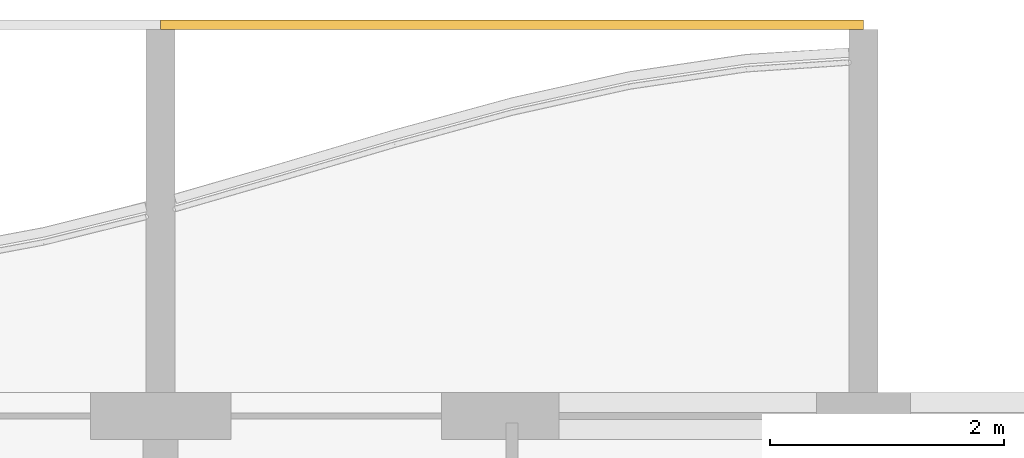
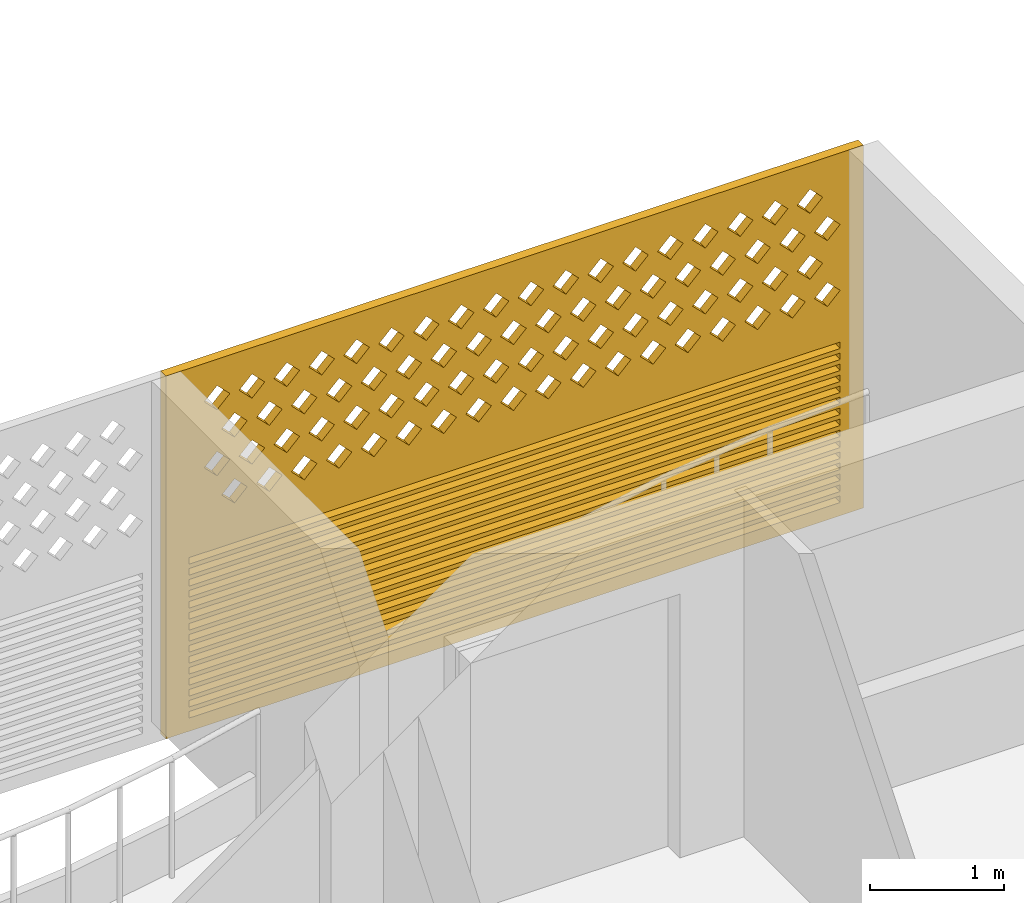
# One storey, part 25 of 31: 1 covering.
"""IFC4 building model written with IfcOpenShell, lengths in metres."""

import ifcopenshell
import ifcopenshell.guid

model = None  # the IFC model being written
_history = None  # IfcOwnerHistory: only IFC2X3 demands one
_inside = {}  # id of a spatial element -> (the spatial element, [elements in it])
_under = {}  # id of a project, library or spatial element -> (it, [spatial elements below it])
_declared = {}  # id of a project -> (the project, [libraries it declares])
_typed = {}  # id of a type object -> (the type object, [elements of that type])
_made_of = {}  # id of a material, layer set ... -> (it, [elements and type objects made of it])


def new_model(schema):
    """Start an empty IFC model of exactly this schema.

    Asked for "IFC4X3", IfcOpenShell would pick the latest addendum, in which some entities
    have other attributes; the version numbers below select the first issue.
    IFC2X3 requires an IfcOwnerHistory on every rooted entity: one is made here for all.
    """
    global model, _history
    if schema == "IFC4X3":
        model = ifcopenshell.file(schema_version=(4, 3, 0, 0))
    else:
        model = ifcopenshell.file(schema=schema)
    _inside.clear()
    _under.clear()
    _declared.clear()
    _typed.clear()
    _made_of.clear()
    _history = None
    if model.schema == "IFC2X3":
        org = make("IfcOrganization", Name="unknown")
        user = make(
            "IfcPersonAndOrganization",
            ThePerson=make("IfcPerson", FamilyName="unknown"),
            TheOrganization=org,
        )
        app = make(
            "IfcApplication",
            ApplicationDeveloper=org,
            Version="unknown",
            ApplicationFullName="unknown",
            ApplicationIdentifier="unknown",
        )
        _history = make(
            "IfcOwnerHistory",
            OwningUser=user,
            OwningApplication=app,
            ChangeAction="ADDED",
            CreationDate=0,
        )
    return model


def make(cls, **values):
    """One entity of the class cls with the attributes given. An attribute that is None is left unset."""
    return model.create_entity(
        cls, **{name: value for name, value in values.items() if value is not None}
    )


def rooted(cls, **values):
    """An entity with a GlobalId (a new one), such as an element, a storey or a relation."""
    return make(cls, GlobalId=ifcopenshell.guid.new(), OwnerHistory=_history, **values)


def si_unit(unit_type, name, prefix=None):
    """IfcSIUnit, for example si_unit("LENGTHUNIT", "METRE", prefix="MILLI")."""
    return make("IfcSIUnit", UnitType=unit_type, Prefix=prefix, Name=name)


def assignment(units):
    """IfcUnitAssignment: the units of a project."""
    return None if units is None else make("IfcUnitAssignment", Units=units)


def point(xyz):
    """IfcCartesianPoint."""
    return None if xyz is None else make("IfcCartesianPoint", Coordinates=xyz)


def direction(xyz):
    """IfcDirection."""
    return None if xyz is None else make("IfcDirection", DirectionRatios=xyz)


def frame(location, z_axis=None, x_axis=None):
    """IfcAxis2Placement3D, a coordinate frame: its origin and axes. An axis left out is left unset."""
    return make(
        "IfcAxis2Placement3D",
        Location=point(location),
        Axis=direction(z_axis),
        RefDirection=direction(x_axis),
    )


def origin():
    """The frame at (0, 0, 0) with its axes left unset."""
    return frame((0.0, 0.0, 0.0))


def place(relative_to, where):
    """IfcLocalPlacement: puts the frame where relative to a parent placement (None: the world)."""
    return make(
        "IfcLocalPlacement", PlacementRelTo=relative_to, RelativePlacement=where
    )


def context(
    kind, dimensions, precision=None, world=None, true_north=None, identifier=None
):
    """IfcGeometricRepresentationContext, for example the 3D "Model" context."""
    return make(
        "IfcGeometricRepresentationContext",
        ContextIdentifier=identifier,
        ContextType=kind,
        CoordinateSpaceDimension=dimensions,
        Precision=precision,
        WorldCoordinateSystem=world,
        TrueNorth=true_north,
    )


def subcontext(parent, identifier, kind, view, scale=None):
    """IfcGeometricRepresentationSubContext, for example "Body" below "Model"."""
    return make(
        "IfcGeometricRepresentationSubContext",
        ContextIdentifier=identifier,
        ContextType=kind,
        ParentContext=parent,
        TargetScale=scale,
        TargetView=view,
    )


def project(units=None, contexts=None):
    """IfcProject with its units and contexts."""
    return rooted(
        "IfcProject",
        Name="project",
        RepresentationContexts=contexts,
        UnitsInContext=assignment(units),
    )


def spatial(cls, under=None, at=None, **own):
    """A site, building, storey or space (cls), placed at a placement, below another one or the project."""
    s = rooted(cls, ObjectPlacement=at, **own)
    if under is not None:
        _under.setdefault(under.id(), (under, []))[1].append(s)
    return s


def polyline(points):
    """IfcPolyline through the points."""
    return make("IfcPolyline", Points=[point(p) for p in points])


def outline(outer, holes=None, kind="AREA"):
    """IfcArbitraryClosedProfileDef: a profile drawn as a closed curve; with holes, ...WithVoids."""
    if holes is None:
        return make("IfcArbitraryClosedProfileDef", ProfileType=kind, OuterCurve=outer)
    return make(
        "IfcArbitraryProfileDefWithVoids",
        ProfileType=kind,
        OuterCurve=outer,
        InnerCurves=holes,
    )


def extrude(swept, where, along, depth):
    """IfcExtrudedAreaSolid: the profile swept, set in the frame where, extruded along a direction by depth."""
    return make(
        "IfcExtrudedAreaSolid",
        SweptArea=swept,
        Position=where,
        ExtrudedDirection=direction(along),
        Depth=depth,
    )


def shape(context_of_items, identifier, shape_type, items):
    """IfcShapeRepresentation: the items that make up one representation, for example the "Body"."""
    return make(
        "IfcShapeRepresentation",
        ContextOfItems=context_of_items,
        RepresentationIdentifier=identifier,
        RepresentationType=shape_type,
        Items=items,
    )


def source(mapping_origin, context_of_items, identifier, shape_type, items):
    """IfcRepresentationMap: a shape defined once, which mapped items show again and again."""
    return make(
        "IfcRepresentationMap",
        MappingOrigin=mapping_origin,
        MappedRepresentation=shape(context_of_items, identifier, shape_type, items),
    )


def transform(
    local_origin,
    x_axis=None,
    y_axis=None,
    z_axis=None,
    scale=None,
    scale2=None,
    scale3=None,
    uniform=True,
):
    """IfcCartesianTransformationOperator3D, or its non-uniform kind. x_axis, y_axis, z_axis: its Axis1, 2, 3."""
    if uniform:
        return make(
            "IfcCartesianTransformationOperator3D",
            Axis1=direction(x_axis),
            Axis2=direction(y_axis),
            LocalOrigin=point(local_origin),
            Scale=scale,
            Axis3=direction(z_axis),
        )
    return make(
        "IfcCartesianTransformationOperator3DnonUniform",
        Axis1=direction(x_axis),
        Axis2=direction(y_axis),
        LocalOrigin=point(local_origin),
        Scale=scale,
        Axis3=direction(z_axis),
        Scale2=scale2,
        Scale3=scale3,
    )


def mapped(mapping_source, mapping_target):
    """IfcMappedItem: shows the shape of a source again, moved by a transform."""
    return make(
        "IfcMappedItem", MappingSource=mapping_source, MappingTarget=mapping_target
    )


def material(Name=None, Category=None):
    """IfcMaterial."""
    return make("IfcMaterial", Name=Name, Category=Category)


def material_profile(
    of_material, cross_section, Name=None, Category=None, Priority=None
):
    """IfcMaterialProfile: a cross section and its material."""
    return make(
        "IfcMaterialProfile",
        Name=Name,
        Material=of_material,
        Profile=cross_section,
        Priority=Priority,
        Category=Category,
    )


def profile_set(profiles, Name=None, composite=None):
    """IfcMaterialProfileSet."""
    return make(
        "IfcMaterialProfileSet",
        Name=Name,
        MaterialProfiles=profiles,
        CompositeProfile=composite,
    )


def made_of(thing, what):
    """Note that an element or type object is made of a material, layer set ...; save() writes the relation."""
    if what is not None:
        _made_of.setdefault(what.id(), (what, []))[1].append(thing)
    return thing


def type_object(cls, material=None, **own):
    """A type object (cls), such as IfcWallType, which elements share."""
    return made_of(rooted(cls, **own), material)


def element(
    cls,
    number,
    at=None,
    inside=None,
    cuts=None,
    type_object=None,
    material=None,
    context=None,
    identifier="Body",
    shape_type=None,
    held_by="IfcProductDefinitionShape",
    body=None,
    shapes=None,
    **own,
):
    """One element of the class cls, such as IfcWall. Its Tag is "e" and its number.

    at: its placement. inside: the storey or other place that contains it. cuts: it is an
    opening in that element (IfcRelVoidsElement). A single representation is given by context,
    identifier, shape_type and body (its items); several are given by shapes. held_by: the class
    of the entity that holds the representations. save() writes the other relations.
    """
    e = rooted(cls, Tag="e%d" % number, ObjectPlacement=at, **own)
    if body is not None:
        shapes = [shape(context, identifier, shape_type, body)]
    if shapes is not None:
        e.Representation = make(held_by, Representations=shapes)
    if inside is not None:
        _inside.setdefault(inside.id(), (inside, []))[1].append(e)
    if cuts is not None:
        rooted(
            "IfcRelVoidsElement", RelatingBuildingElement=cuts, RelatedOpeningElement=e
        )
    if type_object is not None:
        _typed.setdefault(type_object.id(), (type_object, []))[1].append(e)
    return made_of(e, material)


def aggregate(whole, parts):
    """IfcRelAggregates: a whole, such as a stair, and the parts it consists of."""
    return rooted("IfcRelAggregates", RelatingObject=whole, RelatedObjects=parts)


def save(model, path):
    """Write the relations noted so far, then the file.

    IfcRelAggregates (storeys below a building ...), IfcRelContainedInSpatialStructure (elements
    in a storey), IfcRelDefinesByType, IfcRelAssociatesMaterial and IfcRelDeclares: one each for
    every whole, place, type object, material and project.
    """
    for whole, parts in _under.values():
        aggregate(whole, parts)
    for where, things in _inside.values():
        rooted(
            "IfcRelContainedInSpatialStructure",
            RelatedElements=things,
            RelatingStructure=where,
        )
    for kind, things in _typed.values():
        rooted("IfcRelDefinesByType", RelatedObjects=things, RelatingType=kind)
    for what, things in _made_of.values():
        rooted("IfcRelAssociatesMaterial", RelatedObjects=things, RelatingMaterial=what)
    for by, libraries in _declared.values():
        rooted("IfcRelDeclares", RelatingContext=by, RelatedDefinitions=libraries)
    model.write(path)


model = new_model("IFC4")

# Units and contexts
model_context = context("Model", 3, precision=1e-05, world=origin(), true_north=direction((0.0, 1.0)))
body_context = subcontext(model_context, "Body", "Model", "MODEL_VIEW")
ifc_project = project(units=[si_unit("LENGTHUNIT", "METRE"), si_unit("AREAUNIT", "SQUARE_METRE"), si_unit("VOLUMEUNIT", "CUBIC_METRE"), si_unit("PLANEANGLEUNIT", "RADIAN"), si_unit("MASSUNIT", "GRAM", prefix="KILO")], contexts=[model_context])

# Site, building, storey
site_placement = place(None, origin())
site = spatial("IfcSite", under=ifc_project, at=site_placement, CompositionType="ELEMENT")
building_placement = place(site_placement, origin())
building = spatial("IfcBuilding", under=site, at=building_placement, Name="Poui Terraces", CompositionType="ELEMENT")
storey_placement = place(building_placement, frame((0.0, 0.0, 142.199951171875)))
storey = spatial("IfcBuildingStorey", under=building, at=storey_placement, Name="L39", CompositionType="ELEMENT", Elevation=142.199951171875)

# Covering
ifc_material = material(Name="Terracotta screen", Category="masonry")
ifc_material_profile = material_profile(ifc_material, outline(polyline([(-3.0, -1.64990234375), (3.0, -1.64990234375), (3.0, 1.64990234375), (-3.0, 1.64990234375), (-3.0, -1.64990234375)]), holes=[polyline([(-2.800048828125, 0.39990234375), (-2.68994140625, 0.2900390625), (-2.580078125, 0.39990234375), (-2.68994140625, 0.510009765625), (-2.800048828125, 0.39990234375)]), polyline([(-2.5, 0.39990234375), (-2.389892578125, 0.2900390625), (-2.280029296875, 0.39990234375), (-2.389892578125, 0.510009765625), (-2.5, 0.39990234375)]), polyline([(-2.199951171875, 0.39990234375), (-2.090087890625, 0.2900390625), (-1.97998046875, 0.39990234375), (-2.090087890625, 0.510009765625), (-2.199951171875, 0.39990234375)]), polyline([(-1.89990234375, 0.39990234375), (-1.7900390625, 0.2900390625), (-1.679931640625, 0.39990234375), (-1.7900390625, 0.510009765625), (-1.89990234375, 0.39990234375)]), polyline([(-1.60009765625, 0.39990234375), (-1.489990234375, 0.2900390625), (-1.3798828125, 0.39990234375), (-1.489990234375, 0.510009765625), (-1.60009765625, 0.39990234375)]), polyline([(-1.300048828125, 0.39990234375), (-1.18994140625, 0.2900390625), (-1.080078125, 0.39990234375), (-1.18994140625, 0.510009765625), (-1.300048828125, 0.39990234375)]), polyline([(-1.0, 0.39990234375), (-0.889892578125, 0.2900390625), (-0.780029296875, 0.39990234375), (-0.889892578125, 0.510009765625), (-1.0, 0.39990234375)]), polyline([(-0.699951171875, 0.39990234375), (-0.590087890625, 0.2900390625), (-0.47998046875, 0.39990234375), (-0.590087890625, 0.510009765625), (-0.699951171875, 0.39990234375)]), polyline([(-0.39990234375, 0.39990234375), (-0.2900390625, 0.2900390625), (-0.179931640625, 0.39990234375), (-0.2900390625, 0.510009765625), (-0.39990234375, 0.39990234375)]), polyline([(-0.10009765625, 0.39990234375), (0.010009765625, 0.2900390625), (0.1201171875, 0.39990234375), (0.010009765625, 0.510009765625), (-0.10009765625, 0.39990234375)]), polyline([(0.199951171875, 0.39990234375), (0.31005859375, 0.2900390625), (0.419921875, 0.39990234375), (0.31005859375, 0.510009765625), (0.199951171875, 0.39990234375)]), polyline([(0.5, 0.39990234375), (0.610107421875, 0.2900390625), (0.719970703125, 0.39990234375), (0.610107421875, 0.510009765625), (0.5, 0.39990234375)]), polyline([(0.800048828125, 0.39990234375), (0.909912109375, 0.2900390625), (1.02001953125, 0.39990234375), (0.909912109375, 0.510009765625), (0.800048828125, 0.39990234375)]), polyline([(1.10009765625, 0.39990234375), (1.2099609375, 0.2900390625), (1.320068359375, 0.39990234375), (1.2099609375, 0.510009765625), (1.10009765625, 0.39990234375)]), polyline([(1.39990234375, 0.39990234375), (1.510009765625, 0.2900390625), (1.6201171875, 0.39990234375), (1.510009765625, 0.510009765625), (1.39990234375, 0.39990234375)]), polyline([(1.699951171875, 0.39990234375), (1.81005859375, 0.2900390625), (1.919921875, 0.39990234375), (1.81005859375, 0.510009765625), (1.699951171875, 0.39990234375)]), polyline([(2.0, 0.39990234375), (2.110107421875, 0.2900390625), (2.219970703125, 0.39990234375), (2.110107421875, 0.510009765625), (2.0, 0.39990234375)]), polyline([(2.300048828125, 0.39990234375), (2.409912109375, 0.2900390625), (2.52001953125, 0.39990234375), (2.409912109375, 0.510009765625), (2.300048828125, 0.39990234375)]), polyline([(-2.64990234375, 0.699951171875), (-2.5400390625, 0.590087890625), (-2.429931640625, 0.699951171875), (-2.5400390625, 0.81005859375), (-2.64990234375, 0.699951171875)]), polyline([(-2.35009765625, 0.699951171875), (-2.239990234375, 0.590087890625), (-2.1298828125, 0.699951171875), (-2.239990234375, 0.81005859375), (-2.35009765625, 0.699951171875)]), polyline([(-2.050048828125, 0.699951171875), (-1.93994140625, 0.590087890625), (-1.830078125, 0.699951171875), (-1.93994140625, 0.81005859375), (-2.050048828125, 0.699951171875)]), polyline([(-1.75, 0.699951171875), (-1.639892578125, 0.590087890625), (-1.530029296875, 0.699951171875), (-1.639892578125, 0.81005859375), (-1.75, 0.699951171875)]), polyline([(-1.449951171875, 0.699951171875), (-1.340087890625, 0.590087890625), (-1.22998046875, 0.699951171875), (-1.340087890625, 0.81005859375), (-1.449951171875, 0.699951171875)]), polyline([(-1.14990234375, 0.699951171875), (-1.0400390625, 0.590087890625), (-0.929931640625, 0.699951171875), (-1.0400390625, 0.81005859375), (-1.14990234375, 0.699951171875)]), polyline([(-0.85009765625, 0.699951171875), (-0.739990234375, 0.590087890625), (-0.6298828125, 0.699951171875), (-0.739990234375, 0.81005859375), (-0.85009765625, 0.699951171875)]), polyline([(-0.550048828125, 0.699951171875), (-0.43994140625, 0.590087890625), (-0.330078125, 0.699951171875), (-0.43994140625, 0.81005859375), (-0.550048828125, 0.699951171875)]), polyline([(-0.25, 0.699951171875), (-0.139892578125, 0.590087890625), (-0.030029296875, 0.699951171875), (-0.139892578125, 0.81005859375), (-0.25, 0.699951171875)]), polyline([(0.050048828125, 0.699951171875), (0.159912109375, 0.590087890625), (0.27001953125, 0.699951171875), (0.159912109375, 0.81005859375), (0.050048828125, 0.699951171875)]), polyline([(0.35009765625, 0.699951171875), (0.4599609375, 0.590087890625), (0.570068359375, 0.699951171875), (0.4599609375, 0.81005859375), (0.35009765625, 0.699951171875)]), polyline([(0.64990234375, 0.699951171875), (0.760009765625, 0.590087890625), (0.8701171875, 0.699951171875), (0.760009765625, 0.81005859375), (0.64990234375, 0.699951171875)]), polyline([(0.949951171875, 0.699951171875), (1.06005859375, 0.590087890625), (1.169921875, 0.699951171875), (1.06005859375, 0.81005859375), (0.949951171875, 0.699951171875)]), polyline([(1.25, 0.699951171875), (1.360107421875, 0.590087890625), (1.469970703125, 0.699951171875), (1.360107421875, 0.81005859375), (1.25, 0.699951171875)]), polyline([(1.550048828125, 0.699951171875), (1.659912109375, 0.590087890625), (1.77001953125, 0.699951171875), (1.659912109375, 0.81005859375), (1.550048828125, 0.699951171875)]), polyline([(1.85009765625, 0.699951171875), (1.9599609375, 0.590087890625), (2.070068359375, 0.699951171875), (1.9599609375, 0.81005859375), (1.85009765625, 0.699951171875)]), polyline([(2.14990234375, 0.699951171875), (2.260009765625, 0.590087890625), (2.3701171875, 0.699951171875), (2.260009765625, 0.81005859375), (2.14990234375, 0.699951171875)]), polyline([(2.449951171875, 0.699951171875), (2.56005859375, 0.590087890625), (2.669921875, 0.699951171875), (2.56005859375, 0.81005859375), (2.449951171875, 0.699951171875)]), polyline([(-2.800048828125, 1.0), (-2.68994140625, 0.889892578125), (-2.580078125, 1.0), (-2.68994140625, 1.110107421875), (-2.800048828125, 1.0)]), polyline([(-2.5, 1.0), (-2.389892578125, 0.889892578125), (-2.280029296875, 1.0), (-2.389892578125, 1.110107421875), (-2.5, 1.0)]), polyline([(-2.199951171875, 1.0), (-2.090087890625, 0.889892578125), (-1.97998046875, 1.0), (-2.090087890625, 1.110107421875), (-2.199951171875, 1.0)]), polyline([(-1.89990234375, 1.0), (-1.7900390625, 0.889892578125), (-1.679931640625, 1.0), (-1.7900390625, 1.110107421875), (-1.89990234375, 1.0)]), polyline([(-1.60009765625, 1.0), (-1.489990234375, 0.889892578125), (-1.3798828125, 1.0), (-1.489990234375, 1.110107421875), (-1.60009765625, 1.0)]), polyline([(-1.300048828125, 1.0), (-1.18994140625, 0.889892578125), (-1.080078125, 1.0), (-1.18994140625, 1.110107421875), (-1.300048828125, 1.0)]), polyline([(-1.0, 1.0), (-0.889892578125, 0.889892578125), (-0.780029296875, 1.0), (-0.889892578125, 1.110107421875), (-1.0, 1.0)]), polyline([(-0.699951171875, 1.0), (-0.590087890625, 0.889892578125), (-0.47998046875, 1.0), (-0.590087890625, 1.110107421875), (-0.699951171875, 1.0)]), polyline([(-0.39990234375, 1.0), (-0.2900390625, 0.889892578125), (-0.179931640625, 1.0), (-0.2900390625, 1.110107421875), (-0.39990234375, 1.0)]), polyline([(-0.10009765625, 1.0), (0.010009765625, 0.889892578125), (0.1201171875, 1.0), (0.010009765625, 1.110107421875), (-0.10009765625, 1.0)]), polyline([(0.199951171875, 1.0), (0.31005859375, 0.889892578125), (0.419921875, 1.0), (0.31005859375, 1.110107421875), (0.199951171875, 1.0)]), polyline([(0.5, 1.0), (0.610107421875, 0.889892578125), (0.719970703125, 1.0), (0.610107421875, 1.110107421875), (0.5, 1.0)]), polyline([(0.800048828125, 1.0), (0.909912109375, 0.889892578125), (1.02001953125, 1.0), (0.909912109375, 1.110107421875), (0.800048828125, 1.0)]), polyline([(1.10009765625, 1.0), (1.2099609375, 0.889892578125), (1.320068359375, 1.0), (1.2099609375, 1.110107421875), (1.10009765625, 1.0)]), polyline([(1.39990234375, 1.0), (1.510009765625, 0.889892578125), (1.6201171875, 1.0), (1.510009765625, 1.110107421875), (1.39990234375, 1.0)]), polyline([(1.699951171875, 1.0), (1.81005859375, 0.889892578125), (1.919921875, 1.0), (1.81005859375, 1.110107421875), (1.699951171875, 1.0)]), polyline([(2.0, 1.0), (2.110107421875, 0.889892578125), (2.219970703125, 1.0), (2.110107421875, 1.110107421875), (2.0, 1.0)]), polyline([(2.300048828125, 1.0), (2.409912109375, 0.889892578125), (2.52001953125, 1.0), (2.409912109375, 1.110107421875), (2.300048828125, 1.0)]), polyline([(-2.64990234375, 1.300048828125), (-2.5400390625, 1.18994140625), (-2.429931640625, 1.300048828125), (-2.5400390625, 1.409912109375), (-2.64990234375, 1.300048828125)]), polyline([(-2.35009765625, 1.300048828125), (-2.239990234375, 1.18994140625), (-2.1298828125, 1.300048828125), (-2.239990234375, 1.409912109375), (-2.35009765625, 1.300048828125)]), polyline([(-2.050048828125, 1.300048828125), (-1.93994140625, 1.18994140625), (-1.830078125, 1.300048828125), (-1.93994140625, 1.409912109375), (-2.050048828125, 1.300048828125)]), polyline([(-1.75, 1.300048828125), (-1.639892578125, 1.18994140625), (-1.530029296875, 1.300048828125), (-1.639892578125, 1.409912109375), (-1.75, 1.300048828125)]), polyline([(-1.449951171875, 1.300048828125), (-1.340087890625, 1.18994140625), (-1.22998046875, 1.300048828125), (-1.340087890625, 1.409912109375), (-1.449951171875, 1.300048828125)]), polyline([(-1.14990234375, 1.300048828125), (-1.0400390625, 1.18994140625), (-0.929931640625, 1.300048828125), (-1.0400390625, 1.409912109375), (-1.14990234375, 1.300048828125)]), polyline([(-0.85009765625, 1.300048828125), (-0.739990234375, 1.18994140625), (-0.6298828125, 1.300048828125), (-0.739990234375, 1.409912109375), (-0.85009765625, 1.300048828125)]), polyline([(-0.550048828125, 1.300048828125), (-0.43994140625, 1.18994140625), (-0.330078125, 1.300048828125), (-0.43994140625, 1.409912109375), (-0.550048828125, 1.300048828125)]), polyline([(-0.25, 1.300048828125), (-0.139892578125, 1.18994140625), (-0.030029296875, 1.300048828125), (-0.139892578125, 1.409912109375), (-0.25, 1.300048828125)]), polyline([(0.050048828125, 1.300048828125), (0.159912109375, 1.18994140625), (0.27001953125, 1.300048828125), (0.159912109375, 1.409912109375), (0.050048828125, 1.300048828125)]), polyline([(0.35009765625, 1.300048828125), (0.4599609375, 1.18994140625), (0.570068359375, 1.300048828125), (0.4599609375, 1.409912109375), (0.35009765625, 1.300048828125)]), polyline([(0.64990234375, 1.300048828125), (0.760009765625, 1.18994140625), (0.8701171875, 1.300048828125), (0.760009765625, 1.409912109375), (0.64990234375, 1.300048828125)]), polyline([(0.949951171875, 1.300048828125), (1.06005859375, 1.18994140625), (1.169921875, 1.300048828125), (1.06005859375, 1.409912109375), (0.949951171875, 1.300048828125)]), polyline([(1.25, 1.300048828125), (1.360107421875, 1.18994140625), (1.469970703125, 1.300048828125), (1.360107421875, 1.409912109375), (1.25, 1.300048828125)]), polyline([(1.550048828125, 1.300048828125), (1.659912109375, 1.18994140625), (1.77001953125, 1.300048828125), (1.659912109375, 1.409912109375), (1.550048828125, 1.300048828125)]), polyline([(1.85009765625, 1.300048828125), (1.9599609375, 1.18994140625), (2.070068359375, 1.300048828125), (1.9599609375, 1.409912109375), (1.85009765625, 1.300048828125)]), polyline([(2.14990234375, 1.300048828125), (2.260009765625, 1.18994140625), (2.3701171875, 1.300048828125), (2.260009765625, 1.409912109375), (2.14990234375, 1.300048828125)]), polyline([(2.449951171875, 1.300048828125), (2.56005859375, 1.18994140625), (2.669921875, 1.300048828125), (2.56005859375, 1.409912109375), (2.449951171875, 1.300048828125)]), polyline([(-2.800048828125, -1.530029296875), (2.800048828125, -1.530029296875), (2.800048828125, -1.469970703125), (-2.800048828125, -1.469970703125), (-2.800048828125, -1.530029296875)]), polyline([(-2.800048828125, -1.429931640625), (2.800048828125, -1.429931640625), (2.800048828125, -1.3701171875), (-2.800048828125, -1.3701171875), (-2.800048828125, -1.429931640625)]), polyline([(-2.800048828125, -1.330078125), (2.800048828125, -1.330078125), (2.800048828125, -1.27001953125), (-2.800048828125, -1.27001953125), (-2.800048828125, -1.330078125)]), polyline([(-2.800048828125, -1.22998046875), (2.800048828125, -1.22998046875), (2.800048828125, -1.169921875), (-2.800048828125, -1.169921875), (-2.800048828125, -1.22998046875)]), polyline([(-2.800048828125, -1.1298828125), (2.800048828125, -1.1298828125), (2.800048828125, -1.070068359375), (-2.800048828125, -1.070068359375), (-2.800048828125, -1.1298828125)]), polyline([(-2.800048828125, -1.030029296875), (2.800048828125, -1.030029296875), (2.800048828125, -0.969970703125), (-2.800048828125, -0.969970703125), (-2.800048828125, -1.030029296875)]), polyline([(-2.800048828125, -0.929931640625), (2.800048828125, -0.929931640625), (2.800048828125, -0.8701171875), (-2.800048828125, -0.8701171875), (-2.800048828125, -0.929931640625)]), polyline([(-2.800048828125, -0.830078125), (2.800048828125, -0.830078125), (2.800048828125, -0.77001953125), (-2.800048828125, -0.77001953125), (-2.800048828125, -0.830078125)]), polyline([(-2.800048828125, -0.72998046875), (2.800048828125, -0.72998046875), (2.800048828125, -0.669921875), (-2.800048828125, -0.669921875), (-2.800048828125, -0.72998046875)]), polyline([(-2.800048828125, -0.6298828125), (2.800048828125, -0.6298828125), (2.800048828125, -0.570068359375), (-2.800048828125, -0.570068359375), (-2.800048828125, -0.6298828125)]), polyline([(-2.800048828125, -0.530029296875), (2.800048828125, -0.530029296875), (2.800048828125, -0.469970703125), (-2.800048828125, -0.469970703125), (-2.800048828125, -0.530029296875)]), polyline([(-2.800048828125, -0.429931640625), (2.800048828125, -0.429931640625), (2.800048828125, -0.3701171875), (-2.800048828125, -0.3701171875), (-2.800048828125, -0.429931640625)]), polyline([(-2.800048828125, -0.330078125), (2.800048828125, -0.330078125), (2.800048828125, -0.27001953125), (-2.800048828125, -0.27001953125), (-2.800048828125, -0.330078125)]), polyline([(-2.800048828125, -0.22998046875), (2.800048828125, -0.22998046875), (2.800048828125, -0.169921875), (-2.800048828125, -0.169921875), (-2.800048828125, -0.22998046875)]), polyline([(-2.800048828125, -0.1298828125), (2.800048828125, -0.1298828125), (2.800048828125, -0.070068359375), (-2.800048828125, -0.070068359375), (-2.800048828125, -0.1298828125)])]), Name="TERRACOTTA SCREEN AND JALOUSIE LOUVRE 6000X3300")
ifc_profile_set = profile_set([ifc_material_profile], Name="Terracotta screen")
covering_type = type_object("IfcCoveringType", Name="TERRACOTTA SCREEN AND JALOUSIE LOUVRE 6000X3300", PredefinedType="CLADDING", material=ifc_profile_set)
shared_shape = source(origin(), body_context, "Body", "SweptSolid", [
    extrude(outline(polyline([(-3.0, -1.64990234375), (3.0, -1.64990234375), (3.0, 1.64990234375), (-3.0, 1.64990234375), (-3.0, -1.64990234375)]), holes=[polyline([(-2.800048828125, 0.39990234375), (-2.68994140625, 0.2900390625), (-2.580078125, 0.39990234375), (-2.68994140625, 0.510009765625), (-2.800048828125, 0.39990234375)]), polyline([(-2.5, 0.39990234375), (-2.389892578125, 0.2900390625), (-2.280029296875, 0.39990234375), (-2.389892578125, 0.510009765625), (-2.5, 0.39990234375)]), polyline([(-2.199951171875, 0.39990234375), (-2.090087890625, 0.2900390625), (-1.97998046875, 0.39990234375), (-2.090087890625, 0.510009765625), (-2.199951171875, 0.39990234375)]), polyline([(-1.89990234375, 0.39990234375), (-1.7900390625, 0.2900390625), (-1.679931640625, 0.39990234375), (-1.7900390625, 0.510009765625), (-1.89990234375, 0.39990234375)]), polyline([(-1.60009765625, 0.39990234375), (-1.489990234375, 0.2900390625), (-1.3798828125, 0.39990234375), (-1.489990234375, 0.510009765625), (-1.60009765625, 0.39990234375)]), polyline([(-1.300048828125, 0.39990234375), (-1.18994140625, 0.2900390625), (-1.080078125, 0.39990234375), (-1.18994140625, 0.510009765625), (-1.300048828125, 0.39990234375)]), polyline([(-1.0, 0.39990234375), (-0.889892578125, 0.2900390625), (-0.780029296875, 0.39990234375), (-0.889892578125, 0.510009765625), (-1.0, 0.39990234375)]), polyline([(-0.699951171875, 0.39990234375), (-0.590087890625, 0.2900390625), (-0.47998046875, 0.39990234375), (-0.590087890625, 0.510009765625), (-0.699951171875, 0.39990234375)]), polyline([(-0.39990234375, 0.39990234375), (-0.2900390625, 0.2900390625), (-0.179931640625, 0.39990234375), (-0.2900390625, 0.510009765625), (-0.39990234375, 0.39990234375)]), polyline([(-0.10009765625, 0.39990234375), (0.010009765625, 0.2900390625), (0.1201171875, 0.39990234375), (0.010009765625, 0.510009765625), (-0.10009765625, 0.39990234375)]), polyline([(0.199951171875, 0.39990234375), (0.31005859375, 0.2900390625), (0.419921875, 0.39990234375), (0.31005859375, 0.510009765625), (0.199951171875, 0.39990234375)]), polyline([(0.5, 0.39990234375), (0.610107421875, 0.2900390625), (0.719970703125, 0.39990234375), (0.610107421875, 0.510009765625), (0.5, 0.39990234375)]), polyline([(0.800048828125, 0.39990234375), (0.909912109375, 0.2900390625), (1.02001953125, 0.39990234375), (0.909912109375, 0.510009765625), (0.800048828125, 0.39990234375)]), polyline([(1.10009765625, 0.39990234375), (1.2099609375, 0.2900390625), (1.320068359375, 0.39990234375), (1.2099609375, 0.510009765625), (1.10009765625, 0.39990234375)]), polyline([(1.39990234375, 0.39990234375), (1.510009765625, 0.2900390625), (1.6201171875, 0.39990234375), (1.510009765625, 0.510009765625), (1.39990234375, 0.39990234375)]), polyline([(1.699951171875, 0.39990234375), (1.81005859375, 0.2900390625), (1.919921875, 0.39990234375), (1.81005859375, 0.510009765625), (1.699951171875, 0.39990234375)]), polyline([(2.0, 0.39990234375), (2.110107421875, 0.2900390625), (2.219970703125, 0.39990234375), (2.110107421875, 0.510009765625), (2.0, 0.39990234375)]), polyline([(2.300048828125, 0.39990234375), (2.409912109375, 0.2900390625), (2.52001953125, 0.39990234375), (2.409912109375, 0.510009765625), (2.300048828125, 0.39990234375)]), polyline([(-2.64990234375, 0.699951171875), (-2.5400390625, 0.590087890625), (-2.429931640625, 0.699951171875), (-2.5400390625, 0.81005859375), (-2.64990234375, 0.699951171875)]), polyline([(-2.35009765625, 0.699951171875), (-2.239990234375, 0.590087890625), (-2.1298828125, 0.699951171875), (-2.239990234375, 0.81005859375), (-2.35009765625, 0.699951171875)]), polyline([(-2.050048828125, 0.699951171875), (-1.93994140625, 0.590087890625), (-1.830078125, 0.699951171875), (-1.93994140625, 0.81005859375), (-2.050048828125, 0.699951171875)]), polyline([(-1.75, 0.699951171875), (-1.639892578125, 0.590087890625), (-1.530029296875, 0.699951171875), (-1.639892578125, 0.81005859375), (-1.75, 0.699951171875)]), polyline([(-1.449951171875, 0.699951171875), (-1.340087890625, 0.590087890625), (-1.22998046875, 0.699951171875), (-1.340087890625, 0.81005859375), (-1.449951171875, 0.699951171875)]), polyline([(-1.14990234375, 0.699951171875), (-1.0400390625, 0.590087890625), (-0.929931640625, 0.699951171875), (-1.0400390625, 0.81005859375), (-1.14990234375, 0.699951171875)]), polyline([(-0.85009765625, 0.699951171875), (-0.739990234375, 0.590087890625), (-0.6298828125, 0.699951171875), (-0.739990234375, 0.81005859375), (-0.85009765625, 0.699951171875)]), polyline([(-0.550048828125, 0.699951171875), (-0.43994140625, 0.590087890625), (-0.330078125, 0.699951171875), (-0.43994140625, 0.81005859375), (-0.550048828125, 0.699951171875)]), polyline([(-0.25, 0.699951171875), (-0.139892578125, 0.590087890625), (-0.030029296875, 0.699951171875), (-0.139892578125, 0.81005859375), (-0.25, 0.699951171875)]), polyline([(0.050048828125, 0.699951171875), (0.159912109375, 0.590087890625), (0.27001953125, 0.699951171875), (0.159912109375, 0.81005859375), (0.050048828125, 0.699951171875)]), polyline([(0.35009765625, 0.699951171875), (0.4599609375, 0.590087890625), (0.570068359375, 0.699951171875), (0.4599609375, 0.81005859375), (0.35009765625, 0.699951171875)]), polyline([(0.64990234375, 0.699951171875), (0.760009765625, 0.590087890625), (0.8701171875, 0.699951171875), (0.760009765625, 0.81005859375), (0.64990234375, 0.699951171875)]), polyline([(0.949951171875, 0.699951171875), (1.06005859375, 0.590087890625), (1.169921875, 0.699951171875), (1.06005859375, 0.81005859375), (0.949951171875, 0.699951171875)]), polyline([(1.25, 0.699951171875), (1.360107421875, 0.590087890625), (1.469970703125, 0.699951171875), (1.360107421875, 0.81005859375), (1.25, 0.699951171875)]), polyline([(1.550048828125, 0.699951171875), (1.659912109375, 0.590087890625), (1.77001953125, 0.699951171875), (1.659912109375, 0.81005859375), (1.550048828125, 0.699951171875)]), polyline([(1.85009765625, 0.699951171875), (1.9599609375, 0.590087890625), (2.070068359375, 0.699951171875), (1.9599609375, 0.81005859375), (1.85009765625, 0.699951171875)]), polyline([(2.14990234375, 0.699951171875), (2.260009765625, 0.590087890625), (2.3701171875, 0.699951171875), (2.260009765625, 0.81005859375), (2.14990234375, 0.699951171875)]), polyline([(2.449951171875, 0.699951171875), (2.56005859375, 0.590087890625), (2.669921875, 0.699951171875), (2.56005859375, 0.81005859375), (2.449951171875, 0.699951171875)]), polyline([(-2.800048828125, 1.0), (-2.68994140625, 0.889892578125), (-2.580078125, 1.0), (-2.68994140625, 1.110107421875), (-2.800048828125, 1.0)]), polyline([(-2.5, 1.0), (-2.389892578125, 0.889892578125), (-2.280029296875, 1.0), (-2.389892578125, 1.110107421875), (-2.5, 1.0)]), polyline([(-2.199951171875, 1.0), (-2.090087890625, 0.889892578125), (-1.97998046875, 1.0), (-2.090087890625, 1.110107421875), (-2.199951171875, 1.0)]), polyline([(-1.89990234375, 1.0), (-1.7900390625, 0.889892578125), (-1.679931640625, 1.0), (-1.7900390625, 1.110107421875), (-1.89990234375, 1.0)]), polyline([(-1.60009765625, 1.0), (-1.489990234375, 0.889892578125), (-1.3798828125, 1.0), (-1.489990234375, 1.110107421875), (-1.60009765625, 1.0)]), polyline([(-1.300048828125, 1.0), (-1.18994140625, 0.889892578125), (-1.080078125, 1.0), (-1.18994140625, 1.110107421875), (-1.300048828125, 1.0)]), polyline([(-1.0, 1.0), (-0.889892578125, 0.889892578125), (-0.780029296875, 1.0), (-0.889892578125, 1.110107421875), (-1.0, 1.0)]), polyline([(-0.699951171875, 1.0), (-0.590087890625, 0.889892578125), (-0.47998046875, 1.0), (-0.590087890625, 1.110107421875), (-0.699951171875, 1.0)]), polyline([(-0.39990234375, 1.0), (-0.2900390625, 0.889892578125), (-0.179931640625, 1.0), (-0.2900390625, 1.110107421875), (-0.39990234375, 1.0)]), polyline([(-0.10009765625, 1.0), (0.010009765625, 0.889892578125), (0.1201171875, 1.0), (0.010009765625, 1.110107421875), (-0.10009765625, 1.0)]), polyline([(0.199951171875, 1.0), (0.31005859375, 0.889892578125), (0.419921875, 1.0), (0.31005859375, 1.110107421875), (0.199951171875, 1.0)]), polyline([(0.5, 1.0), (0.610107421875, 0.889892578125), (0.719970703125, 1.0), (0.610107421875, 1.110107421875), (0.5, 1.0)]), polyline([(0.800048828125, 1.0), (0.909912109375, 0.889892578125), (1.02001953125, 1.0), (0.909912109375, 1.110107421875), (0.800048828125, 1.0)]), polyline([(1.10009765625, 1.0), (1.2099609375, 0.889892578125), (1.320068359375, 1.0), (1.2099609375, 1.110107421875), (1.10009765625, 1.0)]), polyline([(1.39990234375, 1.0), (1.510009765625, 0.889892578125), (1.6201171875, 1.0), (1.510009765625, 1.110107421875), (1.39990234375, 1.0)]), polyline([(1.699951171875, 1.0), (1.81005859375, 0.889892578125), (1.919921875, 1.0), (1.81005859375, 1.110107421875), (1.699951171875, 1.0)]), polyline([(2.0, 1.0), (2.110107421875, 0.889892578125), (2.219970703125, 1.0), (2.110107421875, 1.110107421875), (2.0, 1.0)]), polyline([(2.300048828125, 1.0), (2.409912109375, 0.889892578125), (2.52001953125, 1.0), (2.409912109375, 1.110107421875), (2.300048828125, 1.0)]), polyline([(-2.64990234375, 1.300048828125), (-2.5400390625, 1.18994140625), (-2.429931640625, 1.300048828125), (-2.5400390625, 1.409912109375), (-2.64990234375, 1.300048828125)]), polyline([(-2.35009765625, 1.300048828125), (-2.239990234375, 1.18994140625), (-2.1298828125, 1.300048828125), (-2.239990234375, 1.409912109375), (-2.35009765625, 1.300048828125)]), polyline([(-2.050048828125, 1.300048828125), (-1.93994140625, 1.18994140625), (-1.830078125, 1.300048828125), (-1.93994140625, 1.409912109375), (-2.050048828125, 1.300048828125)]), polyline([(-1.75, 1.300048828125), (-1.639892578125, 1.18994140625), (-1.530029296875, 1.300048828125), (-1.639892578125, 1.409912109375), (-1.75, 1.300048828125)]), polyline([(-1.449951171875, 1.300048828125), (-1.340087890625, 1.18994140625), (-1.22998046875, 1.300048828125), (-1.340087890625, 1.409912109375), (-1.449951171875, 1.300048828125)]), polyline([(-1.14990234375, 1.300048828125), (-1.0400390625, 1.18994140625), (-0.929931640625, 1.300048828125), (-1.0400390625, 1.409912109375), (-1.14990234375, 1.300048828125)]), polyline([(-0.85009765625, 1.300048828125), (-0.739990234375, 1.18994140625), (-0.6298828125, 1.300048828125), (-0.739990234375, 1.409912109375), (-0.85009765625, 1.300048828125)]), polyline([(-0.550048828125, 1.300048828125), (-0.43994140625, 1.18994140625), (-0.330078125, 1.300048828125), (-0.43994140625, 1.409912109375), (-0.550048828125, 1.300048828125)]), polyline([(-0.25, 1.300048828125), (-0.139892578125, 1.18994140625), (-0.030029296875, 1.300048828125), (-0.139892578125, 1.409912109375), (-0.25, 1.300048828125)]), polyline([(0.050048828125, 1.300048828125), (0.159912109375, 1.18994140625), (0.27001953125, 1.300048828125), (0.159912109375, 1.409912109375), (0.050048828125, 1.300048828125)]), polyline([(0.35009765625, 1.300048828125), (0.4599609375, 1.18994140625), (0.570068359375, 1.300048828125), (0.4599609375, 1.409912109375), (0.35009765625, 1.300048828125)]), polyline([(0.64990234375, 1.300048828125), (0.760009765625, 1.18994140625), (0.8701171875, 1.300048828125), (0.760009765625, 1.409912109375), (0.64990234375, 1.300048828125)]), polyline([(0.949951171875, 1.300048828125), (1.06005859375, 1.18994140625), (1.169921875, 1.300048828125), (1.06005859375, 1.409912109375), (0.949951171875, 1.300048828125)]), polyline([(1.25, 1.300048828125), (1.360107421875, 1.18994140625), (1.469970703125, 1.300048828125), (1.360107421875, 1.409912109375), (1.25, 1.300048828125)]), polyline([(1.550048828125, 1.300048828125), (1.659912109375, 1.18994140625), (1.77001953125, 1.300048828125), (1.659912109375, 1.409912109375), (1.550048828125, 1.300048828125)]), polyline([(1.85009765625, 1.300048828125), (1.9599609375, 1.18994140625), (2.070068359375, 1.300048828125), (1.9599609375, 1.409912109375), (1.85009765625, 1.300048828125)]), polyline([(2.14990234375, 1.300048828125), (2.260009765625, 1.18994140625), (2.3701171875, 1.300048828125), (2.260009765625, 1.409912109375), (2.14990234375, 1.300048828125)]), polyline([(2.449951171875, 1.300048828125), (2.56005859375, 1.18994140625), (2.669921875, 1.300048828125), (2.56005859375, 1.409912109375), (2.449951171875, 1.300048828125)]), polyline([(-2.800048828125, -1.530029296875), (2.800048828125, -1.530029296875), (2.800048828125, -1.469970703125), (-2.800048828125, -1.469970703125), (-2.800048828125, -1.530029296875)]), polyline([(-2.800048828125, -1.429931640625), (2.800048828125, -1.429931640625), (2.800048828125, -1.3701171875), (-2.800048828125, -1.3701171875), (-2.800048828125, -1.429931640625)]), polyline([(-2.800048828125, -1.330078125), (2.800048828125, -1.330078125), (2.800048828125, -1.27001953125), (-2.800048828125, -1.27001953125), (-2.800048828125, -1.330078125)]), polyline([(-2.800048828125, -1.22998046875), (2.800048828125, -1.22998046875), (2.800048828125, -1.169921875), (-2.800048828125, -1.169921875), (-2.800048828125, -1.22998046875)]), polyline([(-2.800048828125, -1.1298828125), (2.800048828125, -1.1298828125), (2.800048828125, -1.070068359375), (-2.800048828125, -1.070068359375), (-2.800048828125, -1.1298828125)]), polyline([(-2.800048828125, -1.030029296875), (2.800048828125, -1.030029296875), (2.800048828125, -0.969970703125), (-2.800048828125, -0.969970703125), (-2.800048828125, -1.030029296875)]), polyline([(-2.800048828125, -0.929931640625), (2.800048828125, -0.929931640625), (2.800048828125, -0.8701171875), (-2.800048828125, -0.8701171875), (-2.800048828125, -0.929931640625)]), polyline([(-2.800048828125, -0.830078125), (2.800048828125, -0.830078125), (2.800048828125, -0.77001953125), (-2.800048828125, -0.77001953125), (-2.800048828125, -0.830078125)]), polyline([(-2.800048828125, -0.72998046875), (2.800048828125, -0.72998046875), (2.800048828125, -0.669921875), (-2.800048828125, -0.669921875), (-2.800048828125, -0.72998046875)]), polyline([(-2.800048828125, -0.6298828125), (2.800048828125, -0.6298828125), (2.800048828125, -0.570068359375), (-2.800048828125, -0.570068359375), (-2.800048828125, -0.6298828125)]), polyline([(-2.800048828125, -0.530029296875), (2.800048828125, -0.530029296875), (2.800048828125, -0.469970703125), (-2.800048828125, -0.469970703125), (-2.800048828125, -0.530029296875)]), polyline([(-2.800048828125, -0.429931640625), (2.800048828125, -0.429931640625), (2.800048828125, -0.3701171875), (-2.800048828125, -0.3701171875), (-2.800048828125, -0.429931640625)]), polyline([(-2.800048828125, -0.330078125), (2.800048828125, -0.330078125), (2.800048828125, -0.27001953125), (-2.800048828125, -0.27001953125), (-2.800048828125, -0.330078125)]), polyline([(-2.800048828125, -0.22998046875), (2.800048828125, -0.22998046875), (2.800048828125, -0.169921875), (-2.800048828125, -0.169921875), (-2.800048828125, -0.22998046875)]), polyline([(-2.800048828125, -0.1298828125), (2.800048828125, -0.1298828125), (2.800048828125, -0.070068359375), (-2.800048828125, -0.070068359375), (-2.800048828125, -0.1298828125)])]), origin(), (0.0, 0.0, 1.0), 0.080078125),
])
covering_placement = place(storey_placement, frame((57.0, 45.699951171875, 1.449951171875), z_axis=(0.0, 1.0, 0.0), x_axis=(-1.0, 0.0, 0.0)))
element("IfcCovering", 1, at=covering_placement, inside=storey, type_object=covering_type, Name="SOLAR SCREEN AND JALOUSIE LOUVRE", PredefinedType="CLADDING", context=body_context, shape_type="MappedRepresentation", body=[
    mapped(shared_shape, transform((0.0, 0.0, 0.0))),
])

save(model, "model.ifc")
